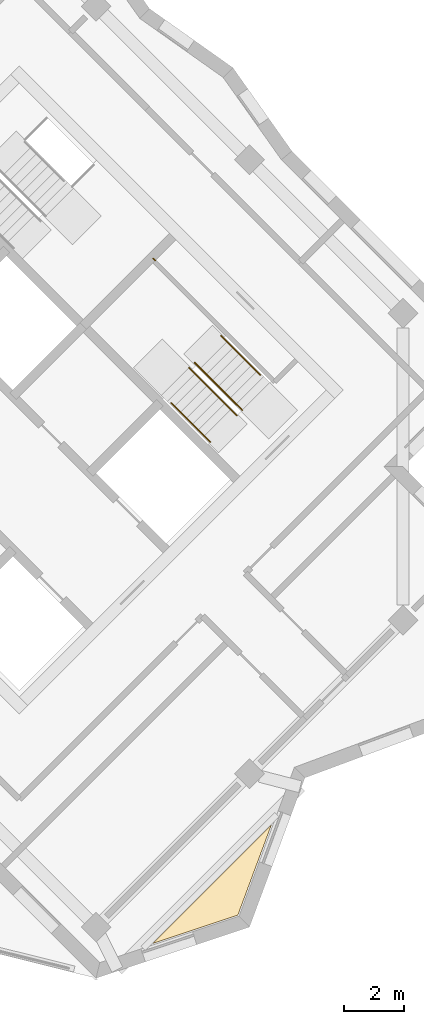
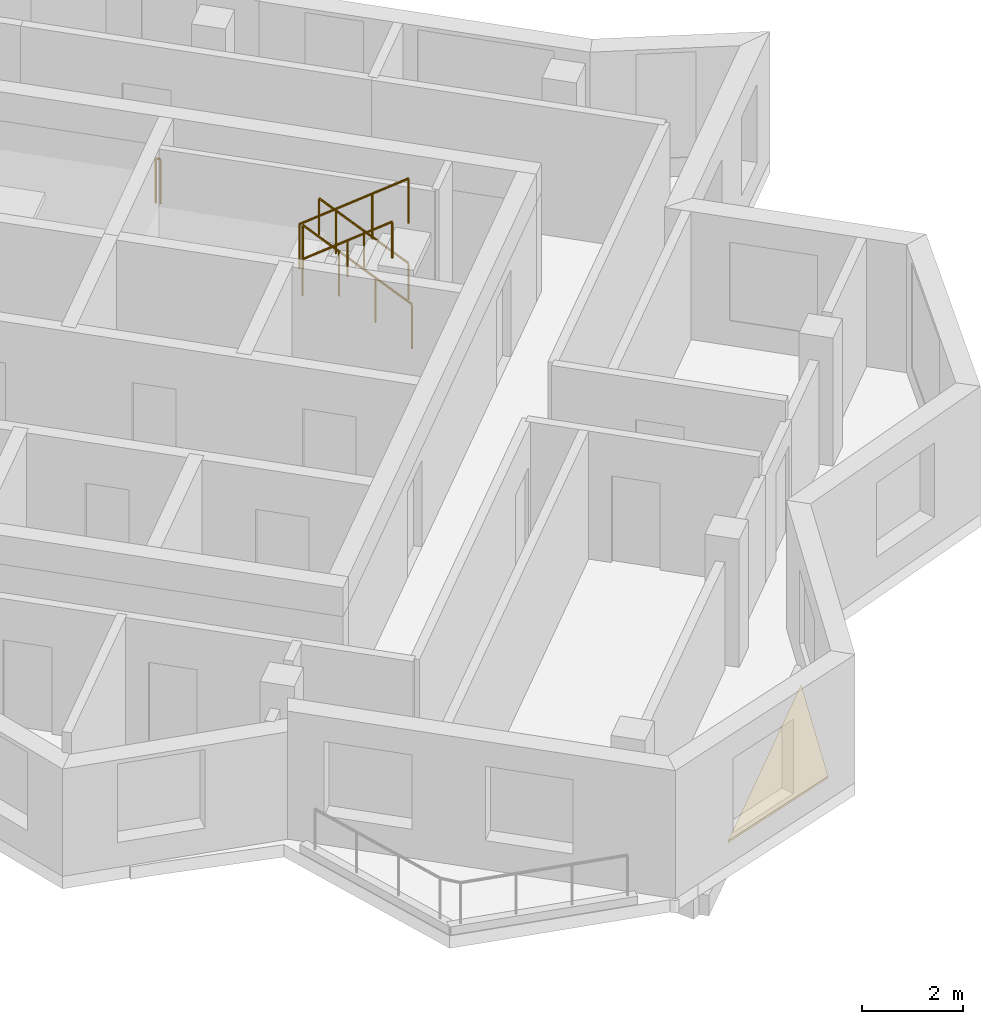
# One storey, part 12 of 12: 5 railings, 1 covering.
"""IFC4 building model written with IfcOpenShell, lengths in metres."""

from ifc_helpers import new_model, si_unit, direction, frame, origin, origin_2d, place, context, subcontext, project, spatial, polyline, circle, outline, extrude, material, layer, layer_set, type_object, element, save


model = new_model("IFC4")

# Units and contexts
model_context = context("Model", 3, precision=1e-05, world=origin(), true_north=direction((0.0, 1.0)))
body_context = subcontext(model_context, "Body", "Model", "MODEL_VIEW")
ifc_project = project(units=[si_unit("LENGTHUNIT", "METRE"), si_unit("AREAUNIT", "SQUARE_METRE"), si_unit("VOLUMEUNIT", "CUBIC_METRE"), si_unit("PLANEANGLEUNIT", "RADIAN"), si_unit("MASSUNIT", "GRAM", prefix="KILO")], contexts=[model_context])

# Site, building, storey
site_placement = place(None, origin())
site = spatial("IfcSite", under=ifc_project, at=site_placement, CompositionType="ELEMENT")
building_placement = place(site_placement, origin())
building = spatial("IfcBuilding", under=site, at=building_placement, Name="Windrow Commons", CompositionType="ELEMENT")
storey_placement = place(building_placement, frame((0.0, 0.0, 274.4)))
storey = spatial("IfcBuildingStorey", under=building, at=storey_placement, Name="L75", CompositionType="ELEMENT", Elevation=274.4)

# Railings
ifc_material_1 = material(Name="Steel S355", Category="steel")
railing_type_1 = type_object("IfcRailingType", Name="Core stair guard 1100", PredefinedType="GUARDRAIL", material=ifc_material_1)
railing_1_placement = place(storey_placement, frame((94.2296, 48.4215, 0.1889)))
element("IfcRailing", 1, at=railing_1_placement, inside=storey, type_object=railing_type_1, Name="L75 ST-B2 stair guard 1", PredefinedType="GUARDRAIL", context=body_context, shape_type="SweptSolid", body=[
    extrude(circle(Radius=0.024, at=origin_2d()), frame((0.0, 0.0, 1.076), z_axis=(-0.5862157828, 0.5861787742, 0.5592365337), x_axis=(-0.7070844598, -0.7071291018, 0.0)), (0.0, 0.0, 1.0), 2.7021),
    extrude(circle(Radius=0.021, at=origin_2d()), origin(), (0.0, 0.0, 1.0), 1.052),
    extrude(circle(Radius=0.021, at=origin_2d()), frame((-0.528, 0.528, 0.5037)), (0.0, 0.0, 1.0), 1.052),
    extrude(circle(Radius=0.021, at=origin_2d()), frame((-1.056, 1.0559, 1.0074)), (0.0, 0.0, 1.0), 1.052),
    extrude(circle(Radius=0.021, at=origin_2d()), frame((-1.584, 1.5839, 1.5111)), (0.0, 0.0, 1.0), 1.052),
])
railing_2_placement = place(storey_placement, frame((92.4689, 49.8287, 1.8889)))
element("IfcRailing", 2, at=railing_2_placement, inside=storey, type_object=railing_type_1, Name="L75 ST-B2 stair guard 2", PredefinedType="GUARDRAIL", context=body_context, shape_type="SweptSolid", body=[
    extrude(circle(Radius=0.024, at=origin_2d()), frame((0.0, 0.0, 1.076), z_axis=(0.5861787742, -0.5862157828, 0.5592365337), x_axis=(0.7071291018, 0.7070844598, 0.0)), (0.0, 0.0, 1.0), 2.7021),
    extrude(circle(Radius=0.021, at=origin_2d()), origin(), (0.0, 0.0, 1.0), 1.052),
    extrude(circle(Radius=0.021, at=origin_2d()), frame((0.528, -0.528, 0.5037)), (0.0, 0.0, 1.0), 1.052),
    extrude(circle(Radius=0.021, at=origin_2d()), frame((1.0559, -1.056, 1.0074)), (0.0, 0.0, 1.0), 1.052),
    extrude(circle(Radius=0.021, at=origin_2d()), frame((1.5839, -1.584, 1.5111)), (0.0, 0.0, 1.0), 1.052),
])
railing_3_placement = place(storey_placement, frame((91.3446, 53.3854, 1.7)))
element("IfcRailing", 3, at=railing_3_placement, inside=storey, type_object=railing_type_1, Name="L75 ST-B2 stair guard 3", PredefinedType="GUARDRAIL", context=body_context, shape_type="SweptSolid", body=[
    extrude(circle(Radius=0.024, at=origin_2d()), frame((0.0, 0.0, 1.076), z_axis=(-0.7076063266, 0.7066068826, 0.0), x_axis=(-0.7066068826, -0.7076063266, 0.0)), (0.0, 0.0, 1.0), 0.1001),
    extrude(circle(Radius=0.021, at=origin_2d()), origin(), (0.0, 0.0, 1.0), 1.052),
    extrude(circle(Radius=0.021, at=origin_2d()), frame((-0.0708, 0.0707, 0.0)), (0.0, 0.0, 1.0), 1.052),
])
ifc_material_2 = material(Name="Steel S355", Category="steel")
railing_type_2 = type_object("IfcRailingType", Name="Core stair handrail 900", PredefinedType="HANDRAIL", material=ifc_material_2)
railing_4_placement = place(storey_placement, frame((94.8306, 49.5883, 0.4587)))
element("IfcRailing", 4, at=railing_4_placement, inside=storey, type_object=railing_type_2, Name="L75 ST-B2 stair handrail 1", PredefinedType="HANDRAIL", context=body_context, shape_type="SweptSolid", body=[
    extrude(circle(Radius=0.024, at=origin_2d()), frame((0.0, 0.0, 0.876), z_axis=(-0.586206706, 0.5861616513, 0.5592639952), x_axis=(-0.7070796062, -0.7071339551, 0.0)), (0.0, 0.0, 1.0), 2.2195),
    extrude(circle(Radius=0.021, at=origin_2d()), origin(), (0.0, 0.0, 1.0), 0.852),
    extrude(circle(Radius=0.021, at=origin_2d()), frame((-0.6506, 0.6505, 0.6207)), (0.0, 0.0, 1.0), 0.852),
    extrude(circle(Radius=0.021, at=origin_2d()), frame((-1.3011, 1.301, 1.2413)), (0.0, 0.0, 1.0), 0.852),
])
railing_5_placement = place(storey_placement, frame((91.8678, 48.6619, 2.1587)))
element("IfcRailing", 5, at=railing_5_placement, inside=storey, type_object=railing_type_2, Name="L75 ST-B2 stair handrail 2", PredefinedType="HANDRAIL", context=body_context, shape_type="SweptSolid", body=[
    extrude(circle(Radius=0.024, at=origin_2d()), frame((0.0, 0.0, 0.876), z_axis=(0.586206706, -0.5861616513, 0.5592639952), x_axis=(0.7070796062, 0.7071339551, 0.0)), (0.0, 0.0, 1.0), 2.2195),
    extrude(circle(Radius=0.021, at=origin_2d()), origin(), (0.0, 0.0, 1.0), 0.852),
    extrude(circle(Radius=0.021, at=origin_2d()), frame((0.6505, -0.6505, 0.6207)), (0.0, 0.0, 1.0), 0.852),
    extrude(circle(Radius=0.021, at=origin_2d()), frame((1.3011, -1.301, 1.2413)), (0.0, 0.0, 1.0), 0.852),
])

# Covering
ifc_material_3 = material(Name="Granite pavers on waterproofing membrane", Category="masonry")
ifc_layer = layer(ifc_material_3, 0.05)
ifc_layer_set = layer_set([ifc_layer], Name="Terrace roofing 50")
covering_type = type_object("IfcCoveringType", Name="Terrace roofing 50", PredefinedType="ROOFING", material=ifc_layer_set)
covering_placement = place(storey_placement, origin())
element("IfcCovering", 6, at=covering_placement, inside=storey, type_object=covering_type, Name="Terrace roofing TR-L75-1", PredefinedType="ROOFING", context=body_context, shape_type="SweptSolid", body=[
    extrude(outline(polyline([(95.2044, 34.6744), (94.0882, 31.6692), (91.2548, 30.7248), (95.2044, 34.6744)])), origin(), (0.0, 0.0, 1.0), 0.05),
])

save(model, "model.ifc")
